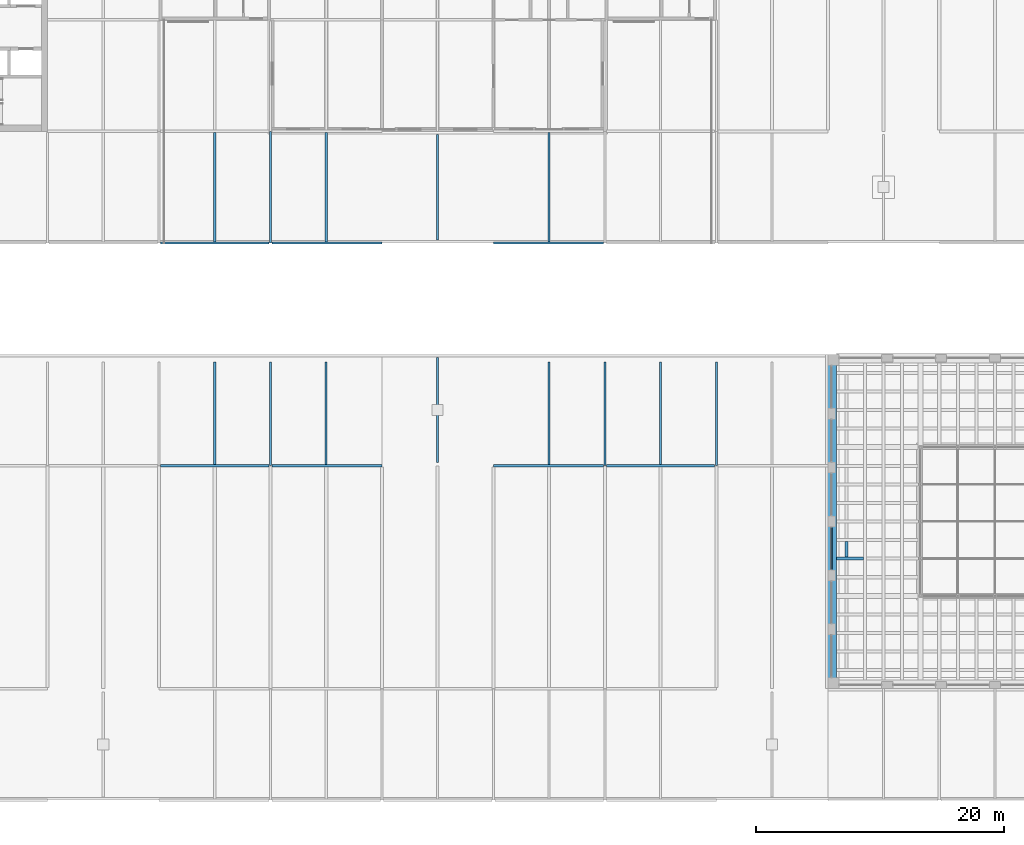
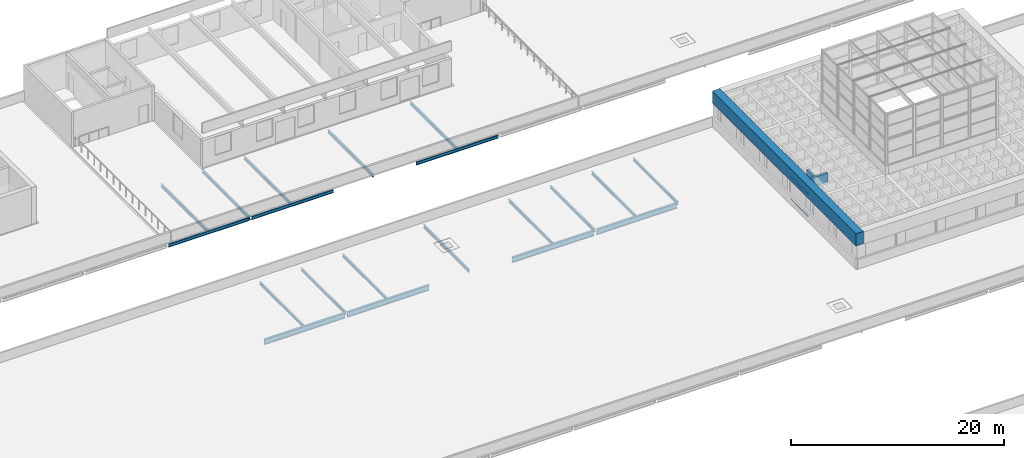
# One storey, part 19 of 50: 23 beams, 2 members, 1 element without a shape of its own.
"""IFC4 building model written with IfcOpenShell, lengths in metres."""

from ifc_helpers import new_model, si_unit, direction, frame, origin, origin_2d, place, context, subcontext, project, spatial, rectangle, i_section, extrude, material, layer, layer_set, material_profile, profile_set, type_object, element, aggregate, save


model = new_model("IFC4")

# Units and contexts
model_context = context("Model", 3, precision=1e-05, world=origin(), true_north=direction((0.0, 1.0)))
body_context = subcontext(model_context, "Body", "Model", "MODEL_VIEW")
ifc_project = project(units=[si_unit("LENGTHUNIT", "METRE"), si_unit("AREAUNIT", "SQUARE_METRE"), si_unit("VOLUMEUNIT", "CUBIC_METRE"), si_unit("PLANEANGLEUNIT", "RADIAN"), si_unit("MASSUNIT", "GRAM", prefix="KILO")], contexts=[model_context])

# Site, building, storey
site_placement = place(None, origin())
site = spatial("IfcSite", under=ifc_project, at=site_placement, CompositionType="ELEMENT")
building_placement = place(site_placement, origin())
building = spatial("IfcBuilding", under=site, at=building_placement, Name="Corbel Yard City Hall", CompositionType="ELEMENT")
storey_placement = place(building_placement, frame((0.0, 0.0, 15.0)))
storey = spatial("IfcBuildingStorey", under=building, at=storey_placement, Name="L03", CompositionType="ELEMENT", Elevation=15.0)

# Beams
ifc_material_1 = material(Name="Steel Grade 300 (300 MPa yield)", Category="steel")
ifc_material_profile_1 = material_profile(ifc_material_1, i_section(OverallWidth=0.166015625, OverallDepth=0.306884765625, WebThickness=0.006591796875, FlangeThickness=0.01171875, at=origin_2d()), Name="310UB46.2")
ifc_profile_set_1 = profile_set([ifc_material_profile_1], Name="Steel Grade 300 (300 MPa yield)")
beam_type_1 = type_object("IfcBeamType", Name="Beam 310UB46.2", PredefinedType="BEAM", material=ifc_profile_set_1)
for number, where, z_axis, x_axis, name in (
    (1, (72.0, 72.00537109375, -0.303466796875), (0.0, 1.0, 0.0), (-1.0, 0.0, 0.0), "Beam 310UB46.2 SB19 L03roof"),
    (2, (99.0, 72.00537109375, -0.303466796875), (0.0, 1.0, 0.0), (-1.0, 0.0, 0.0), "Beam 310UB46.2 SB19 L03roof"),
    (3, (108.0, 72.00537109375, -0.303466796875), (0.0, 1.0, 0.0), (-1.0, 0.0, 0.0), "Beam 310UB46.2 SB19 L03roof"),
):
    element("IfcBeam", number, at=place(storey_placement, frame(where, z_axis=z_axis, x_axis=x_axis)), inside=storey, type_object=beam_type_1, Name=name, PredefinedType="BEAM", context=body_context, shape_type="SweptSolid", body=[
        extrude(i_section(OverallWidth=0.166015625, OverallDepth=0.306884765625, WebThickness=0.006591796875, FlangeThickness=0.01171875, at=origin_2d()), origin(), (0.0, 0.0, 1.0), 8.39453125),
    ])
ifc_material_profile_2 = material_profile(ifc_material_1, i_section(OverallWidth=0.1708984375, OverallDepth=0.35205078125, WebThickness=0.0068359375, FlangeThickness=0.009765625, at=origin_2d()), Name="360UB44.7")
ifc_profile_set_2 = profile_set([ifc_material_profile_2], Name="Steel Grade 300 (300 MPa yield)")
beam_type_2 = type_object("IfcBeamType", Name="Beam 360UB44.7", PredefinedType="BEAM", material=ifc_profile_set_2)
beam_1_placement = place(storey_placement, frame((72.0, 90.00439453125, -0.325927734375), z_axis=(0.0, 1.0, 0.0), x_axis=(-1.0, 0.0, 0.0)))
element("IfcBeam", 4, at=beam_1_placement, inside=storey, type_object=beam_type_2, Name="Beam 360UB44.7 SB13 L03roof", PredefinedType="BEAM", context=body_context, shape_type="SweptSolid", body=[
    extrude(i_section(OverallWidth=0.1708984375, OverallDepth=0.35205078125, WebThickness=0.0068359375, FlangeThickness=0.009765625, at=origin_2d()), origin(), (0.0, 0.0, 1.0), 8.990234375),
])
ifc_material_2 = material(Name="Concrete N50 (50 MPa)", Category="concrete")
ifc_material_profile_3 = material_profile(ifc_material_2, rectangle(XDim=0.800048828125, YDim=1.39990234375, at=origin_2d()), Name="800x1400")
ifc_profile_set_3 = profile_set([ifc_material_profile_3], Name="Concrete N50 (50 MPa)")
beam_type_3 = type_object("IfcBeamType", Name="Chamber roof edge beam RC 800X1400", PredefinedType="BEAM", material=ifc_profile_set_3)
beam_2_placement = place(storey_placement, frame((117.300048828125, 54.0, 3.300048828125), z_axis=(0.0, 1.0, 0.0), x_axis=(-1.0, 0.0, 0.0)))
element("IfcBeam", 5, at=beam_2_placement, inside=storey, type_object=beam_type_3, Name="Chamber roof edge beam RC 800X1400 EB14 west", PredefinedType="BEAM", context=body_context, shape_type="SweptSolid", body=[
    extrude(rectangle(XDim=0.800048828125, YDim=1.39990234375, at=origin_2d()), origin(), (0.0, 0.0, 1.0), 27.0),
])
ifc_material_profile_4 = material_profile(ifc_material_2, rectangle(XDim=0.25, YDim=1.050048828125, at=origin_2d()), Name="250x1050")
ifc_profile_set_4 = profile_set([ifc_material_profile_4], Name="Concrete N50 (50 MPa)")
beam_type_4 = type_object("IfcBeamType", Name="Coffer cross rib RC 250X1050", PredefinedType="T_BEAM", material=ifc_profile_set_4)
beam_3_placement = place(storey_placement, frame((118.5, 64.625, 3.125), z_axis=(0.0, 1.0, 0.0), x_axis=(-1.0, 0.0, 0.0)))
element("IfcBeam", 6, at=beam_3_placement, inside=storey, type_object=beam_type_4, Name="Coffer cross rib RB3", PredefinedType="T_BEAM", context=body_context, shape_type="SweptSolid", body=[
    extrude(rectangle(XDim=0.25, YDim=1.050048828125, at=origin_2d()), origin(), (0.0, 0.0, 1.0), 1.25),
])
beam_4_placement = place(storey_placement, frame((117.699951171875, 64.5, 3.125), z_axis=(1.0, 0.0, 0.0), x_axis=(0.0, 1.0, 0.0)))
element("IfcBeam", 7, at=beam_4_placement, inside=storey, type_object=beam_type_4, Name="Coffer cross rib RB3", PredefinedType="T_BEAM", context=body_context, shape_type="SweptSolid", body=[
    extrude(rectangle(XDim=0.25, YDim=1.050048828125, at=origin_2d()), origin(), (0.0, 0.0, 1.0), 2.175048828125),
])
ifc_material_profile_5 = material_profile(ifc_material_1, i_section(OverallWidth=0.172119140625, OverallDepth=0.35888671875, WebThickness=0.008056640625, FlangeThickness=0.012939453125, at=origin_2d()), Name="360UB56.7")
ifc_profile_set_5 = profile_set([ifc_material_profile_5], Name="Steel Grade 300 (300 MPa yield)")
beam_type_5 = type_object("IfcBeamType", Name="Edge beam 360UB56.7", PredefinedType="BEAM", material=ifc_profile_set_5)
beam_5_placement = place(storey_placement, frame((63.126953125, 90.0, -0.32958984375), z_axis=(1.0, 0.0, 0.0), x_axis=(0.0, 1.0, 0.0)))
element("IfcBeam", 8, at=beam_5_placement, inside=storey, type_object=beam_type_5, Name="Edge beam 360UB56.7 EB4 L03roof", PredefinedType="BEAM", context=body_context, shape_type="SweptSolid", body=[
    extrude(i_section(OverallWidth=0.172119140625, OverallDepth=0.35888671875, WebThickness=0.008056640625, FlangeThickness=0.012939453125, at=origin_2d()), origin(), (0.0, 0.0, 1.0), 8.74609375),
])
for number, where, z_axis, x_axis, name in (
    (9, (72.126953125, 90.0, -0.32958984375), (1.0, 0.0, 0.0), (0.0, 1.0, 0.0), "Edge beam 360UB56.7 EB4 L03roof"),
    (10, (90.0, 90.0, -0.32958984375), (1.0, 0.0, 0.0), (0.0, 1.0, 0.0), "Edge beam 360UB56.7 EB4 L03roof"),
):
    element("IfcBeam", number, at=place(storey_placement, frame(where, z_axis=z_axis, x_axis=x_axis)), inside=storey, type_object=beam_type_5, Name=name, PredefinedType="BEAM", context=body_context, shape_type="SweptSolid", body=[
        extrude(i_section(OverallWidth=0.172119140625, OverallDepth=0.35888671875, WebThickness=0.008056640625, FlangeThickness=0.012939453125, at=origin_2d()), origin(), (0.0, 0.0, 1.0), 8.873046875),
    ])
ifc_material_profile_6 = material_profile(ifc_material_1, i_section(OverallWidth=0.22900390625, OverallDepth=0.612060546875, WebThickness=0.011962890625, FlangeThickness=0.01953125, at=origin_2d()), Name="610UB125")
ifc_profile_set_6 = profile_set([ifc_material_profile_6], Name="Steel Grade 300 (300 MPa yield)")
beam_type_6 = type_object("IfcBeamType", Name="Girder 610UB125", PredefinedType="BEAM", material=ifc_profile_set_6)
beam_6_placement = place(storey_placement, frame((63.1298828125, 72.0, -0.4560546875), z_axis=(1.0, 0.0, 0.0), x_axis=(0.0, 1.0, 0.0)))
element("IfcBeam", 11, at=beam_6_placement, inside=storey, type_object=beam_type_6, Name="Girder 610UB125 GB1 L03roof", PredefinedType="BEAM", context=body_context, shape_type="SweptSolid", body=[
    extrude(i_section(OverallWidth=0.22900390625, OverallDepth=0.612060546875, WebThickness=0.011962890625, FlangeThickness=0.01953125, at=origin_2d()), origin(), (0.0, 0.0, 1.0), 8.740234375),
])
for number, where, z_axis, x_axis, name in (
    (12, (72.1298828125, 72.0, -0.4560546875), (1.0, 0.0, 0.0), (0.0, 1.0, 0.0), "Girder 610UB125 GB1 L03roof"),
    (13, (90.0, 72.0, -0.4560546875), (1.0, 0.0, 0.0), (0.0, 1.0, 0.0), "Girder 610UB125 GB1 L03roof"),
):
    element("IfcBeam", number, at=place(storey_placement, frame(where, z_axis=z_axis, x_axis=x_axis)), inside=storey, type_object=beam_type_6, Name=name, PredefinedType="BEAM", context=body_context, shape_type="SweptSolid", body=[
        extrude(i_section(OverallWidth=0.22900390625, OverallDepth=0.612060546875, WebThickness=0.011962890625, FlangeThickness=0.01953125, at=origin_2d()), origin(), (0.0, 0.0, 1.0), 8.8701171875),
    ])
beam_7_placement = place(storey_placement, frame((99.1298828125, 72.0, -0.4560546875), z_axis=(1.0, 0.0, 0.0), x_axis=(0.0, 1.0, 0.0)))
element("IfcBeam", 14, at=beam_7_placement, inside=storey, type_object=beam_type_6, Name="Girder 610UB125 GB1 L03roof", PredefinedType="BEAM", context=body_context, shape_type="SweptSolid", body=[
    extrude(i_section(OverallWidth=0.22900390625, OverallDepth=0.612060546875, WebThickness=0.011962890625, FlangeThickness=0.01953125, at=origin_2d()), origin(), (0.0, 0.0, 1.0), 8.740234375),
])
ifc_material_profile_7 = material_profile(ifc_material_1, i_section(OverallWidth=0.166015625, OverallDepth=0.306884765625, WebThickness=0.006591796875, FlangeThickness=0.01171875, at=origin_2d()), Name="310UB46.2")
ifc_profile_set_7 = profile_set([ifc_material_profile_7], Name="Steel Grade 300 (300 MPa yield)")
beam_type_7 = type_object("IfcBeamType", Name="Secondary beam 310UB46.2", PredefinedType="JOIST", material=ifc_profile_set_7)
for number, where, z_axis, x_axis, name in (
    (15, (67.5, 72.114501953125, -0.303466796875), (0.0, 1.0, 0.0), (-1.0, 0.0, 0.0), "Secondary beam 310UB46.2 SB17 L03roof"),
    (16, (76.5, 72.114501953125, -0.303466796875), (0.0, 1.0, 0.0), (-1.0, 0.0, 0.0), "Secondary beam 310UB46.2 SB17 L03roof"),
    (17, (94.5, 72.114501953125, -0.303466796875), (0.0, 1.0, 0.0), (-1.0, 0.0, 0.0), "Secondary beam 310UB46.2 SB17 L03roof"),
    (18, (103.5, 72.114501953125, -0.303466796875), (0.0, 1.0, 0.0), (-1.0, 0.0, 0.0), "Secondary beam 310UB46.2 SB17 L03roof"),
):
    element("IfcBeam", number, at=place(storey_placement, frame(where, z_axis=z_axis, x_axis=x_axis)), inside=storey, type_object=beam_type_7, Name=name, PredefinedType="JOIST", context=body_context, shape_type="SweptSolid", body=[
        extrude(i_section(OverallWidth=0.166015625, OverallDepth=0.306884765625, WebThickness=0.006591796875, FlangeThickness=0.01171875, at=origin_2d()), origin(), (0.0, 0.0, 1.0), 8.285400390625),
    ])
ifc_material_profile_8 = material_profile(ifc_material_1, i_section(OverallWidth=0.1708984375, OverallDepth=0.35205078125, WebThickness=0.0068359375, FlangeThickness=0.009765625, at=origin_2d()), Name="360UB44.7")
ifc_profile_set_8 = profile_set([ifc_material_profile_8], Name="Steel Grade 300 (300 MPa yield)")
beam_type_8 = type_object("IfcBeamType", Name="Secondary beam 360UB44.7", PredefinedType="JOIST", material=ifc_profile_set_8)
for number, where, z_axis, x_axis, name in (
    (19, (67.5, 90.0859375, -0.325927734375), (0.0, 1.0, 0.0), (-1.0, 0.0, 0.0), "Secondary beam 360UB44.7 SB11 L03roof"),
    (20, (76.5, 90.0859375, -0.325927734375), (0.0, 1.0, 0.0), (-1.0, 0.0, 0.0), "Secondary beam 360UB44.7 SB11 L03roof"),
    (21, (94.5, 90.0859375, -0.325927734375), (0.0, 1.0, 0.0), (-1.0, 0.0, 0.0), "Secondary beam 360UB44.7 SB11 L03roof"),
):
    element("IfcBeam", number, at=place(storey_placement, frame(where, z_axis=z_axis, x_axis=x_axis)), inside=storey, type_object=beam_type_8, Name=name, PredefinedType="JOIST", context=body_context, shape_type="SweptSolid", body=[
        extrude(i_section(OverallWidth=0.1708984375, OverallDepth=0.35205078125, WebThickness=0.0068359375, FlangeThickness=0.009765625, at=origin_2d()), origin(), (0.0, 0.0, 1.0), 8.8095703125),
    ])
for number, where, z_axis, x_axis, name in (
    (22, (85.5, 72.25, -0.325927734375), (0.0, 1.0, 0.0), (-1.0, 0.0, 0.0), "Core roof beam 360UB44.7 SB11 PC-M7"),
    (23, (85.5, 90.25, -0.325927734375), (0.0, 1.0, 0.0), (-1.0, 0.0, 0.0), "Core roof beam 360UB44.7 SB11 PC-N5"),
):
    element("IfcBeam", number, at=place(storey_placement, frame(where, z_axis=z_axis, x_axis=x_axis)), inside=storey, type_object=beam_type_8, Name=name, PredefinedType="JOIST", context=body_context, shape_type="SweptSolid", body=[
        extrude(i_section(OverallWidth=0.1708984375, OverallDepth=0.35205078125, WebThickness=0.0068359375, FlangeThickness=0.009765625, at=origin_2d()), origin(), (0.0, 0.0, 1.0), 8.5),
    ])

# Curtain wall, members
ifc_material_3 = material(Name="Aluminium extrusion", Category="aluminium")
ifc_layer = layer(ifc_material_3, 0.1201171875)
ifc_layer_set = layer_set([ifc_layer], Name="Aluminium extrusion")
curtain_wall_type = type_object("IfcCurtainWallType", Name="CW3", PredefinedType="USERDEFINED", material=ifc_layer_set)
curtain_wall_placement = place(storey_placement, origin())
curtain_wall = element("IfcCurtainWall", 24, at=curtain_wall_placement, inside=storey, type_object=curtain_wall_type, Name="Chamber clerestory glazing", ObjectType="CURTAIN WALL", PredefinedType="USERDEFINED")
ifc_material_profile_9 = material_profile(ifc_material_3, rectangle(XDim=0.10009765625, YDim=0.050048828125, at=origin_2d()), Name="100x50")
ifc_profile_set_9 = profile_set([ifc_material_profile_9], Name="Aluminium extrusion")
member_type = type_object("IfcMemberType", Name="TR3", PredefinedType="USERDEFINED", material=ifc_profile_set_9)
member_1_placement = place(storey_placement, frame((117.300048828125, 63.64990234375, 0.02490234375), z_axis=(0.0, 1.0, 0.0), x_axis=(-1.0, 0.0, 0.0)))
member_1 = element("IfcMember", 25, at=member_1_placement, type_object=member_type, Name="CW3 transom 1.1", ObjectType="TRANSOM", PredefinedType="USERDEFINED", context=body_context, shape_type="SweptSolid", body=[
    extrude(rectangle(XDim=0.10009765625, YDim=0.050048828125, at=origin_2d()), origin(), (0.0, 0.0, 1.0), 3.35009765625),
])
member_2_placement = place(storey_placement, frame((117.300048828125, 63.64990234375, 2.574951171875), z_axis=(0.0, 1.0, 0.0), x_axis=(-1.0, 0.0, 0.0)))
member_2 = element("IfcMember", 26, at=member_2_placement, type_object=member_type, Name="CW3 transom 1.2", ObjectType="TRANSOM", PredefinedType="USERDEFINED", context=body_context, shape_type="SweptSolid", body=[
    extrude(rectangle(XDim=0.10009765625, YDim=0.050048828125, at=origin_2d()), origin(), (0.0, 0.0, 1.0), 3.35009765625),
])
aggregate(curtain_wall, [member_1, member_2])

save(model, "model.ifc")
